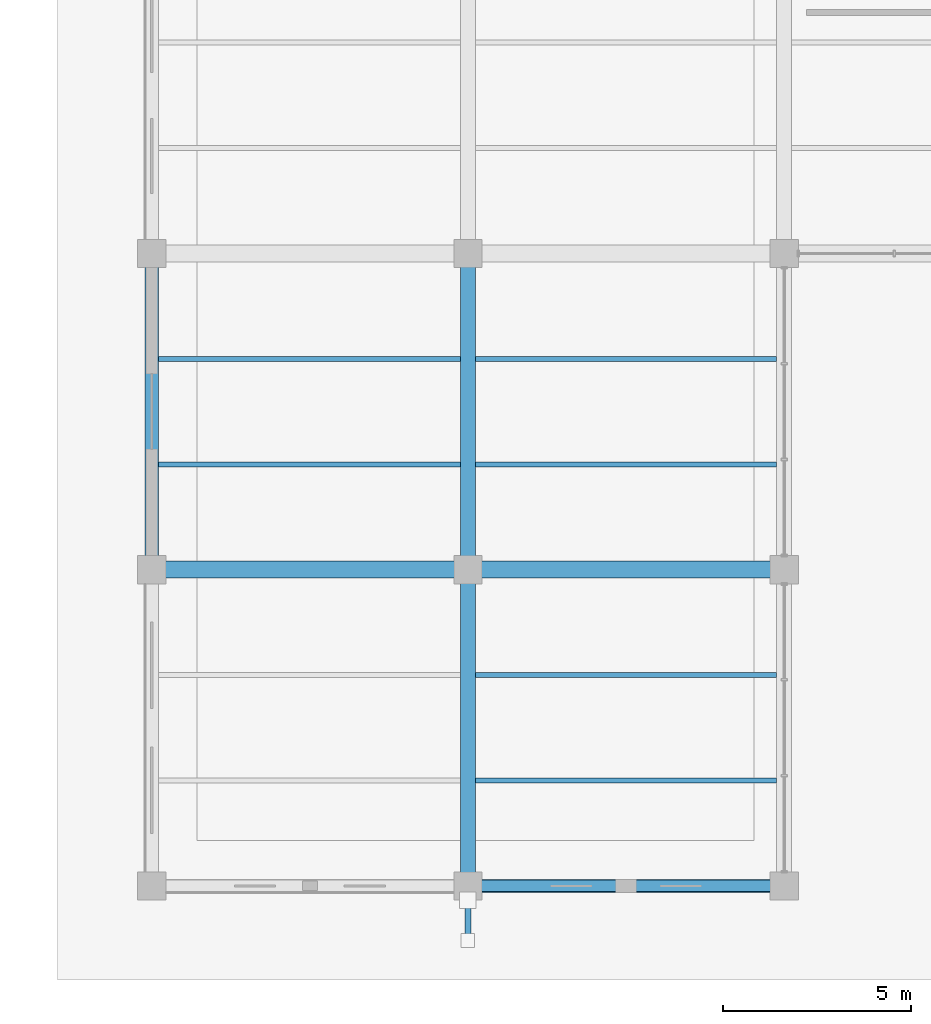
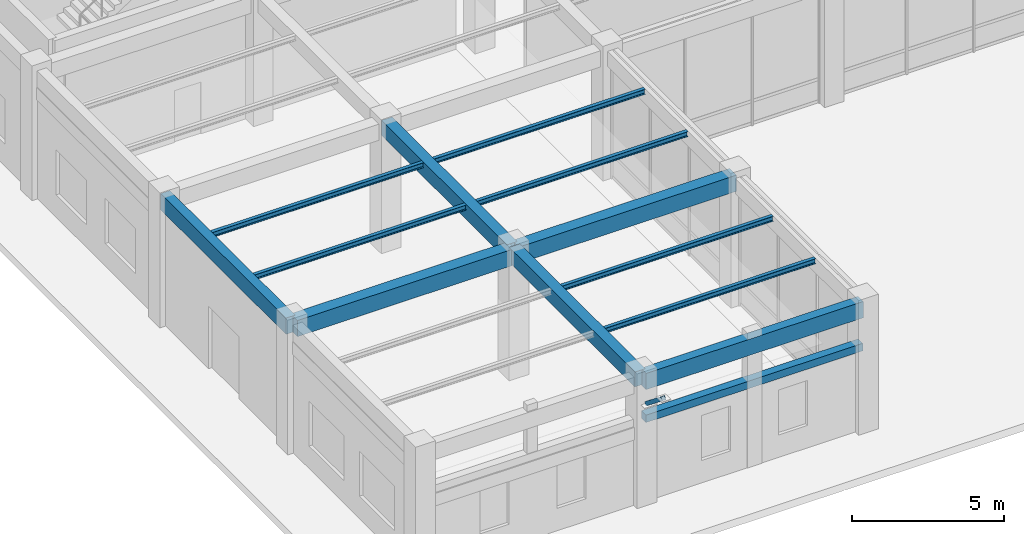
# One storey, part 8 of 157: 13 beams, 1 member.
"""IFC4 building model written with IfcOpenShell, lengths in metres."""

from ifc_helpers import new_model, si_unit, direction, frame, origin, origin_2d, place, context, subcontext, project, spatial, rectangle, hollow_rectangle, i_section, extrude, material, material_profile, profile_set, type_object, element, save


model = new_model("IFC4")

# Units and contexts
model_context = context("Model", 3, precision=1e-05, world=origin(), true_north=direction((0.0, 1.0)))
body_context = subcontext(model_context, "Body", "Model", "MODEL_VIEW")
ifc_project = project(units=[si_unit("LENGTHUNIT", "METRE"), si_unit("AREAUNIT", "SQUARE_METRE"), si_unit("VOLUMEUNIT", "CUBIC_METRE"), si_unit("PLANEANGLEUNIT", "RADIAN"), si_unit("MASSUNIT", "GRAM", prefix="KILO"), si_unit("THERMODYNAMICTEMPERATUREUNIT", "KELVIN"), si_unit("POWERUNIT", "WATT")], contexts=[model_context])

# Site, building, storey
site_placement = place(None, origin())
site = spatial("IfcSite", under=ifc_project, at=site_placement, CompositionType="ELEMENT")
building_placement = place(site_placement, origin())
building = spatial("IfcBuilding", under=site, at=building_placement, Name="Darbajah Civic Hall", CompositionType="ELEMENT")
storey_placement = place(building_placement, origin())
storey = spatial("IfcBuildingStorey", under=building, at=storey_placement, Name="L00", CompositionType="ELEMENT", Elevation=0.0)

# Beams
ifc_material_1 = material(Name="Concrete C45/55", Category="concrete")
ifc_material_profile_1 = material_profile(ifc_material_1, rectangle(XDim=0.39990234375, YDim=0.60009765625, at=origin_2d()), Name="RC BEAM 400x600")
ifc_profile_set_1 = profile_set([ifc_material_profile_1], Name="Concrete C45/55")
beam_type_1 = type_object("IfcBeamType", Name="RC BEAM 400x600", PredefinedType="BEAM", material=ifc_profile_set_1)
for number, where, z_axis, x_axis, name in (
    (1, (8.39990234375, 0.080078125, 4.840087890625), (0.0, 1.0, 0.0), (-1.0, 0.0, 0.0), "L00 beam BM-4060"),
    (2, (8.39990234375, 8.47998046875, 4.840087890625), (0.0, 1.0, 0.0), (-1.0, 0.0, 0.0), "L00 beam BM-4060"),
):
    element("IfcBeam", number, at=place(storey_placement, frame(where, z_axis=z_axis, x_axis=x_axis)), inside=storey, type_object=beam_type_1, Name=name, PredefinedType="BEAM", context=body_context, shape_type="SweptSolid", body=[
        extrude(rectangle(XDim=0.39990234375, YDim=0.60009765625, at=origin_2d()), origin(), (0.0, 0.0, 1.0), 8.239990234375),
    ])
ifc_material_profile_2 = material_profile(ifc_material_1, rectangle(XDim=0.449951171875, YDim=0.64990234375, at=origin_2d()), Name="RC BEAM 450x650")
ifc_profile_set_2 = profile_set([ifc_material_profile_2], Name="Concrete C45/55")
beam_type_2 = type_object("IfcBeamType", Name="RC BEAM 450x650", PredefinedType="BEAM", material=ifc_profile_set_2)
for number, where, z_axis, x_axis, name in (
    (3, (0.080078125, 8.39990234375, 4.81494140625), (1.0, 0.0, 0.0), (0.0, 1.0, 0.0), "L00 beam BM-4565"),
    (4, (8.47998046875, 8.39990234375, 4.81494140625), (1.0, 0.0, 0.0), (0.0, 1.0, 0.0), "L00 beam BM-4565"),
):
    element("IfcBeam", number, at=place(storey_placement, frame(where, z_axis=z_axis, x_axis=x_axis)), inside=storey, type_object=beam_type_2, Name=name, PredefinedType="BEAM", context=body_context, shape_type="SweptSolid", body=[
        extrude(rectangle(XDim=0.449951171875, YDim=0.64990234375, at=origin_2d()), origin(), (0.0, 0.0, 1.0), 8.239990234375),
    ])
ifc_material_profile_3 = material_profile(ifc_material_1, rectangle(XDim=0.300048828125, YDim=0.300048828125, at=origin_2d()), Name="RC LINTEL 300x300")
ifc_profile_set_3 = profile_set([ifc_material_profile_3], Name="Concrete C45/55")
beam_type_3 = type_object("IfcBeamType", Name="RC LINTEL 300x300", PredefinedType="LINTEL", material=ifc_profile_set_3)
beam_placement = place(storey_placement, frame((8.489990234375, 0.0, 3.300048828125), z_axis=(1.0, 0.0, 0.0), x_axis=(0.0, 1.0, 0.0)))
element("IfcBeam", 5, at=beam_placement, inside=storey, type_object=beam_type_3, Name="L00 stone portal lintel LN-3030", PredefinedType="LINTEL", context=body_context, shape_type="SweptSolid", body=[
    extrude(rectangle(XDim=0.300048828125, YDim=0.300048828125, at=origin_2d()), origin(), (0.0, 0.0, 1.0), 8.219970703125),
])
ifc_material_profile_4 = material_profile(ifc_material_1, rectangle(XDim=0.35009765625, YDim=0.64990234375, at=origin_2d()), Name="RC SPANDREL 350x650")
ifc_profile_set_4 = profile_set([ifc_material_profile_4], Name="Concrete C45/55")
beam_type_4 = type_object("IfcBeamType", Name="RC SPANDREL 350x650", PredefinedType="SPANDREL", material=ifc_profile_set_4)
for number, where, z_axis, x_axis, name in (
    (6, (8.47998046875, 0.0, 4.81494140625), (1.0, 0.0, 0.0), (0.0, 1.0, 0.0), "L00 beam SP-3565"),
    (7, (0.0, 8.47998046875, 4.81494140625), (0.0, 1.0, 0.0), (-1.0, 0.0, 0.0), "L00 beam SP-3565"),
):
    element("IfcBeam", number, at=place(storey_placement, frame(where, z_axis=z_axis, x_axis=x_axis)), inside=storey, type_object=beam_type_4, Name=name, PredefinedType="SPANDREL", context=body_context, shape_type="SweptSolid", body=[
        extrude(rectangle(XDim=0.35009765625, YDim=0.64990234375, at=origin_2d()), origin(), (0.0, 0.0, 1.0), 8.239990234375),
    ])

# Member
ifc_material_2 = material(Name="Steel S355JR", Category="steel")
ifc_material_profile_5 = material_profile(ifc_material_2, hollow_rectangle(XDim=0.14990234375, YDim=0.14990234375, WallThickness=0.008056640625, at=origin_2d()), Name="SHS 150x150x8")
ifc_profile_set_5 = profile_set([ifc_material_profile_5], Name="Steel S355JR")
member_type = type_object("IfcMemberType", Name="SHS 150x150x8", PredefinedType="STRUT", material=ifc_profile_set_5)
member_placement = place(storey_placement, frame((8.39990234375, -0.383056640625, 4.10009765625), z_axis=(0.0, -0.78217676033, 0.623056591009), x_axis=(1.0, 0.0, 0.0)))
element("IfcMember", 8, at=member_placement, inside=storey, type_object=member_type, Name="L00 chhajja canopy raking strut 9", PredefinedType="STRUT", context=body_context, shape_type="SweptSolid", body=[
    extrude(hollow_rectangle(XDim=0.14990234375, YDim=0.14990234375, WallThickness=0.008056640625, at=origin_2d()), origin(), (0.0, 0.0, 1.0), 1.364013671875),
])

# Beams
ifc_material_profile_6 = material_profile(ifc_material_2, i_section(OverallWidth=0.1337890625, OverallDepth=0.206787109375, WebThickness=0.00634765625, FlangeThickness=0.009521484375, FilletRadius=0.007568359375, at=origin_2d()), Name="UB 203x133x30")
ifc_profile_set_6 = profile_set([ifc_material_profile_6], Name="Steel S355JR")
beam_type_5 = type_object("IfcBeamType", Name="UB 203x133x30", PredefinedType="JOIST", material=ifc_profile_set_6)
for number, where, z_axis, x_axis, name in (
    (9, (0.175048828125, 11.199951171875, 5.03662109375), (1.0, 0.0, 0.0), (0.0, 1.0, 0.0), "L00 beam SJ-203"),
    (10, (0.175048828125, 14.0, 5.03662109375), (1.0, 0.0, 0.0), (0.0, 1.0, 0.0), "L00 beam SJ-203"),
):
    element("IfcBeam", number, at=place(storey_placement, frame(where, z_axis=z_axis, x_axis=x_axis)), inside=storey, type_object=beam_type_5, Name=name, PredefinedType="JOIST", context=body_context, shape_type="SweptSolid", body=[
        extrude(i_section(OverallWidth=0.1337890625, OverallDepth=0.206787109375, WebThickness=0.00634765625, FlangeThickness=0.009521484375, FilletRadius=0.007568359375, at=origin_2d()), origin(), (0.0, 0.0, 1.0), 8.02490234375),
    ])
for number, where, z_axis, x_axis, name in (
    (11, (8.60009765625, 2.800048828125, 5.03662109375), (1.0, 0.0, 0.0), (0.0, 1.0, 0.0), "L00 beam SJ-203"),
    (12, (8.60009765625, 5.60009765625, 5.03662109375), (1.0, 0.0, 0.0), (0.0, 1.0, 0.0), "L00 beam SJ-203"),
    (13, (8.60009765625, 11.199951171875, 5.03662109375), (1.0, 0.0, 0.0), (0.0, 1.0, 0.0), "L00 beam SJ-203"),
    (14, (8.60009765625, 14.0, 5.03662109375), (1.0, 0.0, 0.0), (0.0, 1.0, 0.0), "L00 beam SJ-203"),
):
    element("IfcBeam", number, at=place(storey_placement, frame(where, z_axis=z_axis, x_axis=x_axis)), inside=storey, type_object=beam_type_5, Name=name, PredefinedType="JOIST", context=body_context, shape_type="SweptSolid", body=[
        extrude(i_section(OverallWidth=0.1337890625, OverallDepth=0.206787109375, WebThickness=0.00634765625, FlangeThickness=0.009521484375, FilletRadius=0.007568359375, at=origin_2d()), origin(), (0.0, 0.0, 1.0), 8.0),
    ])

save(model, "model.ifc")
